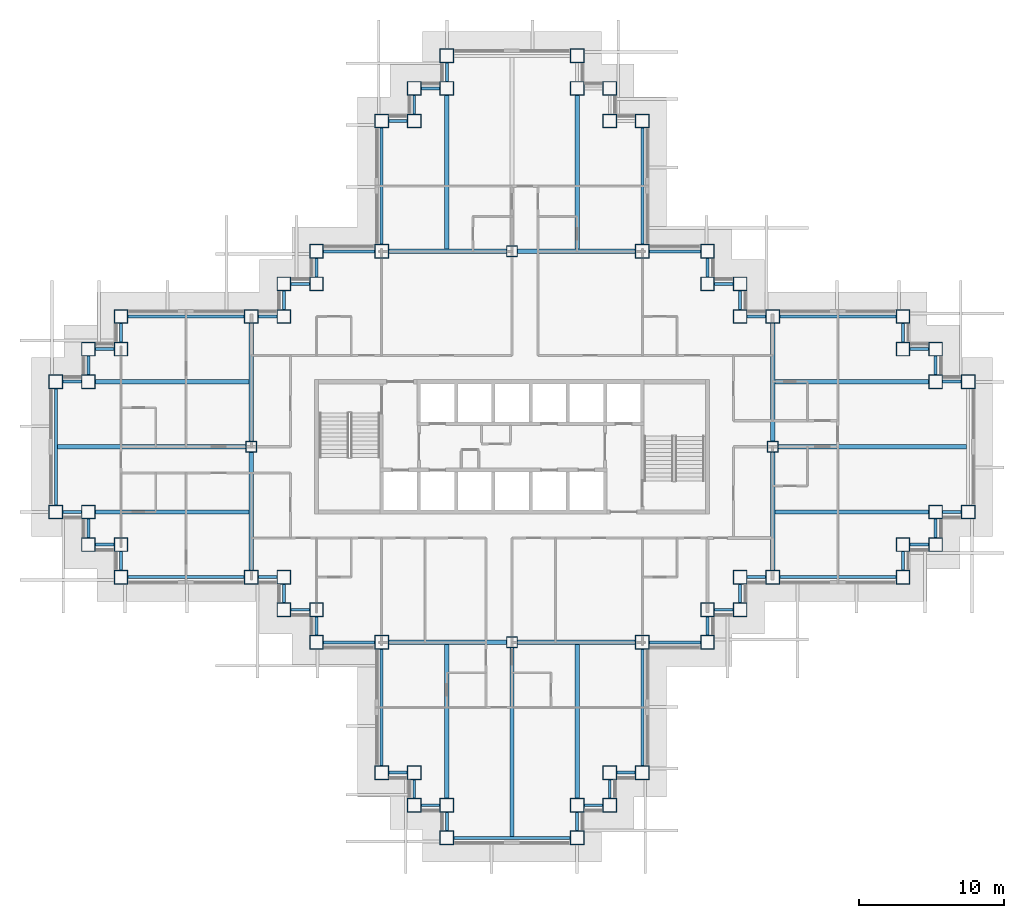
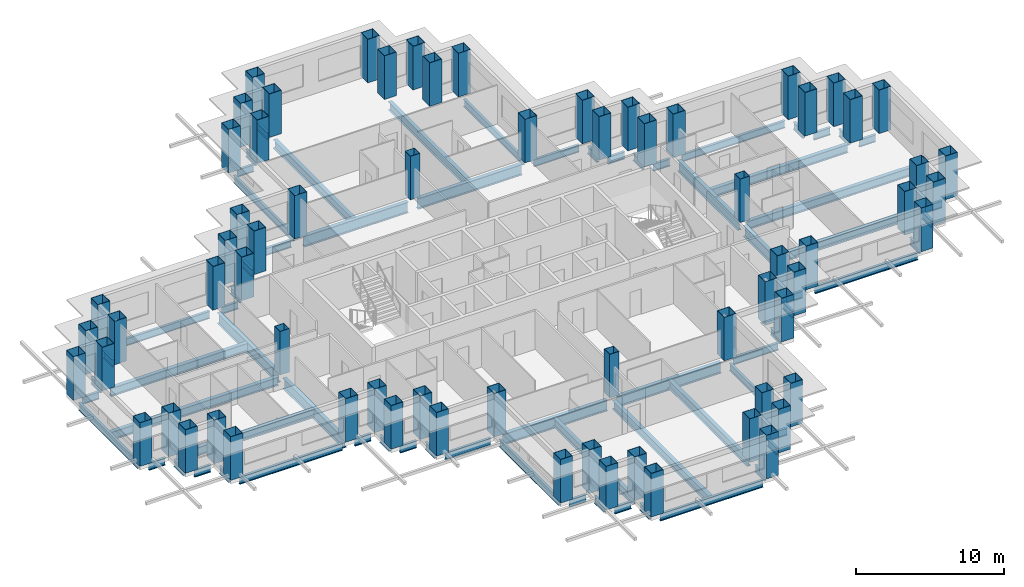
# One storey, part 1 of 15: 77 beams, 68 columns.
"""IFC4 building model written with IfcOpenShell, lengths in metres."""

from ifc_helpers import new_model, si_unit, direction, frame, origin, origin_2d, place, context, subcontext, project, spatial, hollow_rectangle, i_section, extrude, material, material_profile, profile_set, type_object, element, save


model = new_model("IFC4")

# Units and contexts
model_context = context("Model", 3, precision=1e-05, world=origin(), true_north=direction((0.0, 1.0)))
body_context = subcontext(model_context, "Body", "Model", "MODEL_VIEW")
ifc_project = project(units=[si_unit("LENGTHUNIT", "METRE"), si_unit("AREAUNIT", "SQUARE_METRE"), si_unit("VOLUMEUNIT", "CUBIC_METRE"), si_unit("PLANEANGLEUNIT", "RADIAN"), si_unit("MASSUNIT", "GRAM", prefix="KILO")], contexts=[model_context])

# Site, building, storey
site_placement = place(None, origin())
site = spatial("IfcSite", under=ifc_project, at=site_placement, CompositionType="ELEMENT")
building_placement = place(site_placement, origin())
building = spatial("IfcBuilding", under=site, at=building_placement, Name="Caravel Reach Hotel and Residences", CompositionType="ELEMENT")
storey_placement = place(building_placement, frame((0.0, 0.0, 92.39990234375)))
storey = spatial("IfcBuildingStorey", under=building, at=storey_placement, Name="L22", CompositionType="ELEMENT", Elevation=92.39990234375)

# Columns
ifc_material_1 = material(Name="Concrete-filled steel tube Q390B with Concrete C70 infill", Category="concrete")
ifc_material_profile_1 = material_profile(ifc_material_1, hollow_rectangle(XDim=0.75, YDim=0.75, WallThickness=0.02392578125, at=origin_2d()), Name="RHS 750x750x24")
ifc_profile_set_1 = profile_set([ifc_material_profile_1], Name="Concrete-filled steel tube Q390B with Concrete C70 infill")
column_type_1 = type_object("IfcColumnType", Name="CFT 750x750 Q390B C70", PredefinedType="COLUMN", material=ifc_profile_set_1)
for number, where, z_axis, x_axis, name in (
    (1, (31.5, 40.5, 0.0), (0.0, 0.0, 1.0), (1.0, 0.0, 0.0), "C16 column"),
    (2, (31.5, 13.5, 0.0), (0.0, 0.0, 1.0), (1.0, 0.0, 0.0), "C16 column"),
    (3, (13.5, 27.0, 0.0), (0.0, 0.0, 1.0), (1.0, 0.0, 0.0), "C16 column"),
    (4, (49.5, 27.0, 0.0), (0.0, 0.0, 1.0), (1.0, 0.0, 0.0), "C16 column"),
):
    element("IfcColumn", number, at=place(storey_placement, frame(where, z_axis=z_axis, x_axis=x_axis)), inside=storey, type_object=column_type_1, Name=name, PredefinedType="COLUMN", context=body_context, shape_type="SweptSolid", body=[
        extrude(hollow_rectangle(XDim=0.75, YDim=0.75, WallThickness=0.02392578125, at=origin_2d()), origin(), (0.0, 0.0, 1.0), 3.60009765625),
    ])
ifc_material_2 = material(Name="Concrete-filled steel tube Q390B with Concrete C70 infill", Category="concrete")
ifc_material_profile_2 = material_profile(ifc_material_2, hollow_rectangle(XDim=0.949951171875, YDim=0.949951171875, WallThickness=0.030029296875, at=origin_2d()), Name="RHS 950x950x30")
ifc_profile_set_2 = profile_set([ifc_material_profile_2], Name="Concrete-filled steel tube Q390B with Concrete C70 infill")
column_type_2 = type_object("IfcColumnType", Name="CFT 950x950 Q390B C70", PredefinedType="COLUMN", material=ifc_profile_set_2)
for number, where, z_axis, x_axis, name in (
    (5, (22.5, 4.5, 0.0), (0.0, 0.0, 1.0), (1.0, 0.0, 0.0), "C12 column"),
    (6, (24.75, 4.5, 0.0), (0.0, 0.0, 1.0), (1.0, 0.0, 0.0), "C12 column"),
    (7, (24.75, 2.25, 0.0), (0.0, 0.0, 1.0), (1.0, 0.0, 0.0), "C12 column"),
    (8, (27.0, 2.25, 0.0), (0.0, 0.0, 1.0), (1.0, 0.0, 0.0), "C12 column"),
    (9, (27.0, 0.0, 0.0), (0.0, 0.0, 1.0), (1.0, 0.0, 0.0), "C12 column"),
    (10, (36.0, 0.0, 0.0), (0.0, 0.0, 1.0), (1.0, 0.0, 0.0), "C12 column"),
    (11, (36.0, 2.25, 0.0), (0.0, 0.0, 1.0), (1.0, 0.0, 0.0), "C12 column"),
    (12, (38.25, 2.25, 0.0), (0.0, 0.0, 1.0), (1.0, 0.0, 0.0), "C12 column"),
    (13, (38.25, 4.5, 0.0), (0.0, 0.0, 1.0), (1.0, 0.0, 0.0), "C12 column"),
    (14, (40.5, 4.5, 0.0), (0.0, 0.0, 1.0), (1.0, 0.0, 0.0), "C12 column"),
    (15, (40.5, 13.5, 0.0), (0.0, 0.0, 1.0), (1.0, 0.0, 0.0), "C12 column"),
    (16, (45.0, 13.5, 0.0), (0.0, 0.0, 1.0), (1.0, 0.0, 0.0), "C12 column"),
    (17, (45.0, 15.75, 0.0), (0.0, 0.0, 1.0), (1.0, 0.0, 0.0), "C12 column"),
    (18, (47.25, 15.75, 0.0), (0.0, 0.0, 1.0), (1.0, 0.0, 0.0), "C12 column"),
    (19, (47.25, 18.0, 0.0), (0.0, 0.0, 1.0), (1.0, 0.0, 0.0), "C12 column"),
    (20, (49.5, 18.0, 0.0), (0.0, 0.0, 1.0), (1.0, 0.0, 0.0), "C12 column"),
    (21, (58.5, 18.0, 0.0), (0.0, 0.0, 1.0), (1.0, 0.0, 0.0), "C12 column"),
    (22, (58.5, 20.25, 0.0), (0.0, 0.0, 1.0), (1.0, 0.0, 0.0), "C12 column"),
    (23, (60.75, 20.25, 0.0), (0.0, 0.0, 1.0), (1.0, 0.0, 0.0), "C12 column"),
    (24, (60.75, 22.5, 0.0), (0.0, 0.0, 1.0), (1.0, 0.0, 0.0), "C12 column"),
    (25, (63.0, 22.5, 0.0), (0.0, 0.0, 1.0), (1.0, 0.0, 0.0), "C12 column"),
    (26, (63.0, 31.5, 0.0), (0.0, 0.0, 1.0), (1.0, 0.0, 0.0), "C12 column"),
    (27, (60.75, 31.5, 0.0), (0.0, 0.0, 1.0), (1.0, 0.0, 0.0), "C12 column"),
    (28, (60.75, 33.75, 0.0), (0.0, 0.0, 1.0), (1.0, 0.0, 0.0), "C12 column"),
    (29, (58.5, 33.75, 0.0), (0.0, 0.0, 1.0), (1.0, 0.0, 0.0), "C12 column"),
    (30, (58.5, 36.0, 0.0), (0.0, 0.0, 1.0), (1.0, 0.0, 0.0), "C12 column"),
    (31, (49.5, 36.0, 0.0), (0.0, 0.0, 1.0), (1.0, 0.0, 0.0), "C12 column"),
    (32, (47.25, 36.0, 0.0), (0.0, 0.0, 1.0), (1.0, 0.0, 0.0), "C12 column"),
    (33, (47.25, 38.25, 0.0), (0.0, 0.0, 1.0), (1.0, 0.0, 0.0), "C12 column"),
    (34, (45.0, 38.25, 0.0), (0.0, 0.0, 1.0), (1.0, 0.0, 0.0), "C12 column"),
    (35, (45.0, 40.5, 0.0), (0.0, 0.0, 1.0), (1.0, 0.0, 0.0), "C12 column"),
    (36, (40.5, 40.5, 0.0), (0.0, 0.0, 1.0), (1.0, 0.0, 0.0), "C12 column"),
    (37, (40.5, 49.5, 0.0), (0.0, 0.0, 1.0), (1.0, 0.0, 0.0), "C12 column"),
    (38, (38.25, 49.5, 0.0), (0.0, 0.0, 1.0), (1.0, 0.0, 0.0), "C12 column"),
    (39, (38.25, 51.75, 0.0), (0.0, 0.0, 1.0), (1.0, 0.0, 0.0), "C12 column"),
    (40, (36.0, 51.75, 0.0), (0.0, 0.0, 1.0), (1.0, 0.0, 0.0), "C12 column"),
    (41, (36.0, 54.0, 0.0), (0.0, 0.0, 1.0), (1.0, 0.0, 0.0), "C12 column"),
    (42, (27.0, 54.0, 0.0), (0.0, 0.0, 1.0), (1.0, 0.0, 0.0), "C12 column"),
    (43, (27.0, 51.75, 0.0), (0.0, 0.0, 1.0), (1.0, 0.0, 0.0), "C12 column"),
    (44, (24.75, 51.75, 0.0), (0.0, 0.0, 1.0), (1.0, 0.0, 0.0), "C12 column"),
    (45, (24.75, 49.5, 0.0), (0.0, 0.0, 1.0), (1.0, 0.0, 0.0), "C12 column"),
    (46, (22.5, 49.5, 0.0), (0.0, 0.0, 1.0), (1.0, 0.0, 0.0), "C12 column"),
    (47, (22.5, 40.5, 0.0), (0.0, 0.0, 1.0), (1.0, 0.0, 0.0), "C12 column"),
    (48, (18.0, 40.5, 0.0), (0.0, 0.0, 1.0), (1.0, 0.0, 0.0), "C12 column"),
    (49, (18.0, 38.25, 0.0), (0.0, 0.0, 1.0), (1.0, 0.0, 0.0), "C12 column"),
    (50, (15.75, 38.25, 0.0), (0.0, 0.0, 1.0), (1.0, 0.0, 0.0), "C12 column"),
    (51, (15.75, 36.0, 0.0), (0.0, 0.0, 1.0), (1.0, 0.0, 0.0), "C12 column"),
    (52, (13.5, 36.0, 0.0), (0.0, 0.0, 1.0), (1.0, 0.0, 0.0), "C12 column"),
    (53, (4.5, 36.0, 0.0), (0.0, 0.0, 1.0), (1.0, 0.0, 0.0), "C12 column"),
    (54, (4.5, 33.75, 0.0), (0.0, 0.0, 1.0), (1.0, 0.0, 0.0), "C12 column"),
    (55, (2.25, 33.75, 0.0), (0.0, 0.0, 1.0), (1.0, 0.0, 0.0), "C12 column"),
    (56, (2.25, 31.5, 0.0), (0.0, 0.0, 1.0), (1.0, 0.0, 0.0), "C12 column"),
    (57, (0.0, 31.5, 0.0), (0.0, 0.0, 1.0), (1.0, 0.0, 0.0), "C12 column"),
    (58, (0.0, 22.5, 0.0), (0.0, 0.0, 1.0), (1.0, 0.0, 0.0), "C12 column"),
    (59, (2.25, 22.5, 0.0), (0.0, 0.0, 1.0), (1.0, 0.0, 0.0), "C12 column"),
    (60, (2.25, 20.25, 0.0), (0.0, 0.0, 1.0), (1.0, 0.0, 0.0), "C12 column"),
    (61, (4.5, 20.25, 0.0), (0.0, 0.0, 1.0), (1.0, 0.0, 0.0), "C12 column"),
    (62, (4.5, 18.0, 0.0), (0.0, 0.0, 1.0), (1.0, 0.0, 0.0), "C12 column"),
    (63, (13.5, 18.0, 0.0), (0.0, 0.0, 1.0), (1.0, 0.0, 0.0), "C12 column"),
    (64, (15.75, 18.0, 0.0), (0.0, 0.0, 1.0), (1.0, 0.0, 0.0), "C12 column"),
    (65, (15.75, 15.75, 0.0), (0.0, 0.0, 1.0), (1.0, 0.0, 0.0), "C12 column"),
    (66, (18.0, 15.75, 0.0), (0.0, 0.0, 1.0), (1.0, 0.0, 0.0), "C12 column"),
    (67, (18.0, 13.5, 0.0), (0.0, 0.0, 1.0), (1.0, 0.0, 0.0), "C12 column"),
    (68, (22.5, 13.5, 0.0), (0.0, 0.0, 1.0), (1.0, 0.0, 0.0), "C12 column"),
):
    element("IfcColumn", number, at=place(storey_placement, frame(where, z_axis=z_axis, x_axis=x_axis)), inside=storey, type_object=column_type_2, Name=name, PredefinedType="COLUMN", context=body_context, shape_type="SweptSolid", body=[
        extrude(hollow_rectangle(XDim=0.949951171875, YDim=0.949951171875, WallThickness=0.030029296875, at=origin_2d()), origin(), (0.0, 0.0, 1.0), 3.60009765625),
    ])

# Beams
ifc_material_3 = material(Name="Structural steel Q355B", Category="steel")
ifc_material_profile_3 = material_profile(ifc_material_3, i_section(OverallWidth=0.300048828125, OverallDepth=0.699951171875, WebThickness=0.012939453125, FlangeThickness=0.02392578125, FilletRadius=0.01806640625, at=origin_2d()), Name="HN 700x300x13x24")
ifc_profile_set_3 = profile_set([ifc_material_profile_3], Name="Structural steel Q355B")
beam_type_1 = type_object("IfcBeamType", Name="Beam HN 700x300x13x24", PredefinedType="BEAM", material=ifc_profile_set_3)
for number, where, z_axis, x_axis, name in (
    (69, (27.0, 40.60009765625, -0.64990234375), (0.0, 1.0, 0.0), (-1.0, 0.0, 0.0), "B2 HN 700x300x13x24"),
    (70, (36.0, 40.60009765625, -0.64990234375), (0.0, 1.0, 0.0), (-1.0, 0.0, 0.0), "B2 HN 700x300x13x24"),
    (71, (27.0, 13.39990234375, -0.64990234375), (0.0, -1.0, 0.0), (1.0, 0.0, 0.0), "B2 HN 700x300x13x24"),
):
    element("IfcBeam", number, at=place(storey_placement, frame(where, z_axis=z_axis, x_axis=x_axis)), inside=storey, type_object=beam_type_1, Name=name, PredefinedType="BEAM", context=body_context, shape_type="SweptSolid", body=[
        extrude(i_section(OverallWidth=0.300048828125, OverallDepth=0.699951171875, WebThickness=0.012939453125, FlangeThickness=0.02392578125, FilletRadius=0.01806640625, at=origin_2d()), origin(), (0.0, 0.0, 1.0), 10.724853515625),
    ])
beam_1_placement = place(storey_placement, frame((31.5, 13.175048828125, -0.64990234375), z_axis=(0.0, -1.0, 0.0), x_axis=(1.0, 0.0, 0.0)))
element("IfcBeam", 72, at=beam_1_placement, inside=storey, type_object=beam_type_1, Name="B2 HN 700x300x13x24", PredefinedType="BEAM", context=body_context, shape_type="SweptSolid", body=[
    extrude(i_section(OverallWidth=0.300048828125, OverallDepth=0.699951171875, WebThickness=0.012939453125, FlangeThickness=0.02392578125, FilletRadius=0.01806640625, at=origin_2d()), origin(), (0.0, 0.0, 1.0), 13.074951171875),
])
for number, where, z_axis, x_axis, name in (
    (73, (36.0, 13.39990234375, -0.64990234375), (0.0, -1.0, 0.0), (1.0, 0.0, 0.0), "B2 HN 700x300x13x24"),
    (74, (49.60009765625, 22.5, -0.64990234375), (1.0, 0.0, 0.0), (0.0, 1.0, 0.0), "B2 HN 700x300x13x24"),
):
    element("IfcBeam", number, at=place(storey_placement, frame(where, z_axis=z_axis, x_axis=x_axis)), inside=storey, type_object=beam_type_1, Name=name, PredefinedType="BEAM", context=body_context, shape_type="SweptSolid", body=[
        extrude(i_section(OverallWidth=0.300048828125, OverallDepth=0.699951171875, WebThickness=0.012939453125, FlangeThickness=0.02392578125, FilletRadius=0.01806640625, at=origin_2d()), origin(), (0.0, 0.0, 1.0), 10.724853515625),
    ])
beam_2_placement = place(storey_placement, frame((49.824951171875, 27.0, -0.64990234375), z_axis=(1.0, 0.0, 0.0), x_axis=(0.0, 1.0, 0.0)))
element("IfcBeam", 75, at=beam_2_placement, inside=storey, type_object=beam_type_1, Name="B2 HN 700x300x13x24", PredefinedType="BEAM", context=body_context, shape_type="SweptSolid", body=[
    extrude(i_section(OverallWidth=0.300048828125, OverallDepth=0.699951171875, WebThickness=0.012939453125, FlangeThickness=0.02392578125, FilletRadius=0.01806640625, at=origin_2d()), origin(), (0.0, 0.0, 1.0), 13.074951171875),
])
for number, where, z_axis, x_axis, name in (
    (76, (49.60009765625, 31.5, -0.64990234375), (1.0, 0.0, 0.0), (0.0, 1.0, 0.0), "B2 HN 700x300x13x24"),
    (77, (13.39990234375, 22.5, -0.64990234375), (-1.0, 0.0, 0.0), (0.0, -1.0, 0.0), "B2 HN 700x300x13x24"),
):
    element("IfcBeam", number, at=place(storey_placement, frame(where, z_axis=z_axis, x_axis=x_axis)), inside=storey, type_object=beam_type_1, Name=name, PredefinedType="BEAM", context=body_context, shape_type="SweptSolid", body=[
        extrude(i_section(OverallWidth=0.300048828125, OverallDepth=0.699951171875, WebThickness=0.012939453125, FlangeThickness=0.02392578125, FilletRadius=0.01806640625, at=origin_2d()), origin(), (0.0, 0.0, 1.0), 10.724853515625),
    ])
beam_3_placement = place(storey_placement, frame((13.175048828125, 27.0, -0.64990234375), z_axis=(-1.0, 0.0, 0.0), x_axis=(0.0, -1.0, 0.0)))
element("IfcBeam", 78, at=beam_3_placement, inside=storey, type_object=beam_type_1, Name="B2 HN 700x300x13x24", PredefinedType="BEAM", context=body_context, shape_type="SweptSolid", body=[
    extrude(i_section(OverallWidth=0.300048828125, OverallDepth=0.699951171875, WebThickness=0.012939453125, FlangeThickness=0.02392578125, FilletRadius=0.01806640625, at=origin_2d()), origin(), (0.0, 0.0, 1.0), 13.074951171875),
])
beam_4_placement = place(storey_placement, frame((13.39990234375, 31.5, -0.64990234375), z_axis=(-1.0, 0.0, 0.0), x_axis=(0.0, -1.0, 0.0)))
element("IfcBeam", 79, at=beam_4_placement, inside=storey, type_object=beam_type_1, Name="B2 HN 700x300x13x24", PredefinedType="BEAM", context=body_context, shape_type="SweptSolid", body=[
    extrude(i_section(OverallWidth=0.300048828125, OverallDepth=0.699951171875, WebThickness=0.012939453125, FlangeThickness=0.02392578125, FilletRadius=0.01806640625, at=origin_2d()), origin(), (0.0, 0.0, 1.0), 10.724853515625),
])
ifc_material_4 = material(Name="Structural steel Q355B", Category="steel")
ifc_material_profile_4 = material_profile(ifc_material_4, i_section(OverallWidth=0.300048828125, OverallDepth=0.89990234375, WebThickness=0.01611328125, FlangeThickness=0.028076171875, FilletRadius=0.01806640625, at=origin_2d()), Name="HN 900x300x16x28")
ifc_profile_set_4 = profile_set([ifc_material_profile_4], Name="Structural steel Q355B")
beam_type_2 = type_object("IfcBeamType", Name="Beam HN 900x300x16x28", PredefinedType="BEAM", material=ifc_profile_set_4)
for number, where, z_axis, x_axis, name in (
    (80, (22.97509765625, 40.5, -0.75), (1.0, 0.0, 0.0), (0.0, 1.0, 0.0), "B3 HN 900x300x16x28"),
    (81, (31.875, 40.5, -0.75), (1.0, 0.0, 0.0), (0.0, 1.0, 0.0), "B3 HN 900x300x16x28"),
    (82, (22.97509765625, 13.5, -0.75), (1.0, 0.0, 0.0), (0.0, 1.0, 0.0), "B3 HN 900x300x16x28"),
    (83, (31.875, 13.5, -0.75), (1.0, 0.0, 0.0), (0.0, 1.0, 0.0), "B3 HN 900x300x16x28"),
    (84, (13.5, 18.47509765625, -0.75), (0.0, 1.0, 0.0), (-1.0, 0.0, 0.0), "B3 HN 900x300x16x28"),
    (85, (13.5, 27.375, -0.75), (0.0, 1.0, 0.0), (-1.0, 0.0, 0.0), "B3 HN 900x300x16x28"),
    (86, (49.5, 18.47509765625, -0.75), (0.0, 1.0, 0.0), (-1.0, 0.0, 0.0), "B3 HN 900x300x16x28"),
    (87, (49.5, 27.375, -0.75), (0.0, 1.0, 0.0), (-1.0, 0.0, 0.0), "B3 HN 900x300x16x28"),
):
    element("IfcBeam", number, at=place(storey_placement, frame(where, z_axis=z_axis, x_axis=x_axis)), inside=storey, type_object=beam_type_2, Name=name, PredefinedType="BEAM", context=body_context, shape_type="SweptSolid", body=[
        extrude(i_section(OverallWidth=0.300048828125, OverallDepth=0.89990234375, WebThickness=0.01611328125, FlangeThickness=0.028076171875, FilletRadius=0.01806640625, at=origin_2d()), origin(), (0.0, 0.0, 1.0), 8.14990234375),
    ])
ifc_material_5 = material(Name="Structural steel Q355B", Category="steel")
ifc_material_profile_5 = material_profile(ifc_material_5, i_section(OverallWidth=0.199951171875, OverallDepth=0.60009765625, WebThickness=0.010986328125, FlangeThickness=0.01708984375, FilletRadius=0.012939453125, at=origin_2d()), Name="HN 600x200x11x17")
ifc_profile_set_5 = profile_set([ifc_material_profile_5], Name="Structural steel Q355B")
beam_type_3 = type_object("IfcBeamType", Name="Spandrel beam HN 600x200x11x17", PredefinedType="SPANDREL", material=ifc_profile_set_5)
for number, where, z_axis, x_axis, name in (
    (88, (22.97509765625, 4.5, -0.599853515625), (1.0, 0.0, 0.0), (0.0, 1.0, 0.0), "SP1 HN 600x200x11x17"),
    (89, (24.75, 4.02490234375, -0.599853515625), (0.0, -1.0, 0.0), (1.0, 0.0, 0.0), "SP1 HN 600x200x11x17"),
    (90, (25.22509765625, 2.25, -0.599853515625), (1.0, 0.0, 0.0), (0.0, 1.0, 0.0), "SP1 HN 600x200x11x17"),
    (91, (27.0, 1.77490234375, -0.599853515625), (0.0, -1.0, 0.0), (1.0, 0.0, 0.0), "SP1 HN 600x200x11x17"),
):
    element("IfcBeam", number, at=place(storey_placement, frame(where, z_axis=z_axis, x_axis=x_axis)), inside=storey, type_object=beam_type_3, Name=name, PredefinedType="SPANDREL", context=body_context, shape_type="SweptSolid", body=[
        extrude(i_section(OverallWidth=0.199951171875, OverallDepth=0.60009765625, WebThickness=0.010986328125, FlangeThickness=0.01708984375, FilletRadius=0.012939453125, at=origin_2d()), origin(), (0.0, 0.0, 1.0), 1.2998046875),
    ])
beam_5_placement = place(storey_placement, frame((27.47509765625, 0.0, -0.599853515625), z_axis=(1.0, 0.0, 0.0), x_axis=(0.0, 1.0, 0.0)))
element("IfcBeam", 92, at=beam_5_placement, inside=storey, type_object=beam_type_3, Name="SP1 HN 600x200x11x17", PredefinedType="SPANDREL", context=body_context, shape_type="SweptSolid", body=[
    extrude(i_section(OverallWidth=0.199951171875, OverallDepth=0.60009765625, WebThickness=0.010986328125, FlangeThickness=0.01708984375, FilletRadius=0.012939453125, at=origin_2d()), origin(), (0.0, 0.0, 1.0), 8.0498046875),
])
for number, where, z_axis, x_axis, name in (
    (93, (36.0, 0.47509765625, -0.599853515625), (0.0, 1.0, 0.0), (-1.0, 0.0, 0.0), "SP1 HN 600x200x11x17"),
    (94, (36.47509765625, 2.25, -0.599853515625), (1.0, 0.0, 0.0), (0.0, 1.0, 0.0), "SP1 HN 600x200x11x17"),
    (95, (38.25, 2.72509765625, -0.599853515625), (0.0, 1.0, 0.0), (-1.0, 0.0, 0.0), "SP1 HN 600x200x11x17"),
    (96, (38.72509765625, 4.5, -0.599853515625), (1.0, 0.0, 0.0), (0.0, 1.0, 0.0), "SP1 HN 600x200x11x17"),
):
    element("IfcBeam", number, at=place(storey_placement, frame(where, z_axis=z_axis, x_axis=x_axis)), inside=storey, type_object=beam_type_3, Name=name, PredefinedType="SPANDREL", context=body_context, shape_type="SweptSolid", body=[
        extrude(i_section(OverallWidth=0.199951171875, OverallDepth=0.60009765625, WebThickness=0.010986328125, FlangeThickness=0.01708984375, FilletRadius=0.012939453125, at=origin_2d()), origin(), (0.0, 0.0, 1.0), 1.2998046875),
    ])
beam_6_placement = place(storey_placement, frame((40.5, 4.97509765625, -0.599853515625), z_axis=(0.0, 1.0, 0.0), x_axis=(-1.0, 0.0, 0.0)))
element("IfcBeam", 97, at=beam_6_placement, inside=storey, type_object=beam_type_3, Name="SP1 HN 600x200x11x17", PredefinedType="SPANDREL", context=body_context, shape_type="SweptSolid", body=[
    extrude(i_section(OverallWidth=0.199951171875, OverallDepth=0.60009765625, WebThickness=0.010986328125, FlangeThickness=0.01708984375, FilletRadius=0.012939453125, at=origin_2d()), origin(), (0.0, 0.0, 1.0), 8.0498046875),
])
beam_7_placement = place(storey_placement, frame((40.97509765625, 13.5, -0.599853515625), z_axis=(1.0, 0.0, 0.0), x_axis=(0.0, 1.0, 0.0)))
element("IfcBeam", 98, at=beam_7_placement, inside=storey, type_object=beam_type_3, Name="SP1 HN 600x200x11x17", PredefinedType="SPANDREL", context=body_context, shape_type="SweptSolid", body=[
    extrude(i_section(OverallWidth=0.199951171875, OverallDepth=0.60009765625, WebThickness=0.010986328125, FlangeThickness=0.01708984375, FilletRadius=0.012939453125, at=origin_2d()), origin(), (0.0, 0.0, 1.0), 3.5498046875),
])
for number, where, z_axis, x_axis, name in (
    (99, (45.0, 13.97509765625, -0.599853515625), (0.0, 1.0, 0.0), (-1.0, 0.0, 0.0), "SP1 HN 600x200x11x17"),
    (100, (45.47509765625, 15.75, -0.599853515625), (1.0, 0.0, 0.0), (0.0, 1.0, 0.0), "SP1 HN 600x200x11x17"),
    (101, (47.25, 16.22509765625, -0.599853515625), (0.0, 1.0, 0.0), (-1.0, 0.0, 0.0), "SP1 HN 600x200x11x17"),
    (102, (47.72509765625, 18.0, -0.599853515625), (1.0, 0.0, 0.0), (0.0, 1.0, 0.0), "SP1 HN 600x200x11x17"),
):
    element("IfcBeam", number, at=place(storey_placement, frame(where, z_axis=z_axis, x_axis=x_axis)), inside=storey, type_object=beam_type_3, Name=name, PredefinedType="SPANDREL", context=body_context, shape_type="SweptSolid", body=[
        extrude(i_section(OverallWidth=0.199951171875, OverallDepth=0.60009765625, WebThickness=0.010986328125, FlangeThickness=0.01708984375, FilletRadius=0.012939453125, at=origin_2d()), origin(), (0.0, 0.0, 1.0), 1.2998046875),
    ])
beam_8_placement = place(storey_placement, frame((49.97509765625, 18.0, -0.599853515625), z_axis=(1.0, 0.0, 0.0), x_axis=(0.0, 1.0, 0.0)))
element("IfcBeam", 103, at=beam_8_placement, inside=storey, type_object=beam_type_3, Name="SP1 HN 600x200x11x17", PredefinedType="SPANDREL", context=body_context, shape_type="SweptSolid", body=[
    extrude(i_section(OverallWidth=0.199951171875, OverallDepth=0.60009765625, WebThickness=0.010986328125, FlangeThickness=0.01708984375, FilletRadius=0.012939453125, at=origin_2d()), origin(), (0.0, 0.0, 1.0), 8.0498046875),
])
for number, where, z_axis, x_axis, name in (
    (104, (58.5, 18.47509765625, -0.599853515625), (0.0, 1.0, 0.0), (-1.0, 0.0, 0.0), "SP1 HN 600x200x11x17"),
    (105, (58.97509765625, 20.25, -0.599853515625), (1.0, 0.0, 0.0), (0.0, 1.0, 0.0), "SP1 HN 600x200x11x17"),
    (106, (60.75, 20.72509765625, -0.599853515625), (0.0, 1.0, 0.0), (-1.0, 0.0, 0.0), "SP1 HN 600x200x11x17"),
    (107, (61.22509765625, 22.5, -0.599853515625), (1.0, 0.0, 0.0), (0.0, 1.0, 0.0), "SP1 HN 600x200x11x17"),
    (108, (62.52490234375, 31.5, -0.599853515625), (-1.0, 0.0, 0.0), (0.0, -1.0, 0.0), "SP1 HN 600x200x11x17"),
    (109, (60.75, 31.97509765625, -0.599853515625), (0.0, 1.0, 0.0), (-1.0, 0.0, 0.0), "SP1 HN 600x200x11x17"),
    (110, (60.27490234375, 33.75, -0.599853515625), (-1.0, 0.0, 0.0), (0.0, -1.0, 0.0), "SP1 HN 600x200x11x17"),
    (111, (58.5, 34.22509765625, -0.599853515625), (0.0, 1.0, 0.0), (-1.0, 0.0, 0.0), "SP1 HN 600x200x11x17"),
):
    element("IfcBeam", number, at=place(storey_placement, frame(where, z_axis=z_axis, x_axis=x_axis)), inside=storey, type_object=beam_type_3, Name=name, PredefinedType="SPANDREL", context=body_context, shape_type="SweptSolid", body=[
        extrude(i_section(OverallWidth=0.199951171875, OverallDepth=0.60009765625, WebThickness=0.010986328125, FlangeThickness=0.01708984375, FilletRadius=0.012939453125, at=origin_2d()), origin(), (0.0, 0.0, 1.0), 1.2998046875),
    ])
beam_9_placement = place(storey_placement, frame((58.02490234375, 36.0, -0.599853515625), z_axis=(-1.0, 0.0, 0.0), x_axis=(0.0, -1.0, 0.0)))
element("IfcBeam", 112, at=beam_9_placement, inside=storey, type_object=beam_type_3, Name="SP1 HN 600x200x11x17", PredefinedType="SPANDREL", context=body_context, shape_type="SweptSolid", body=[
    extrude(i_section(OverallWidth=0.199951171875, OverallDepth=0.60009765625, WebThickness=0.010986328125, FlangeThickness=0.01708984375, FilletRadius=0.012939453125, at=origin_2d()), origin(), (0.0, 0.0, 1.0), 8.0498046875),
])
for number, where, z_axis, x_axis, name in (
    (113, (49.02490234375, 36.0, -0.599853515625), (-1.0, 0.0, 0.0), (0.0, -1.0, 0.0), "SP1 HN 600x200x11x17"),
    (114, (47.25, 36.47509765625, -0.599853515625), (0.0, 1.0, 0.0), (-1.0, 0.0, 0.0), "SP1 HN 600x200x11x17"),
    (115, (46.77490234375, 38.25, -0.599853515625), (-1.0, 0.0, 0.0), (0.0, -1.0, 0.0), "SP1 HN 600x200x11x17"),
    (116, (45.0, 38.72509765625, -0.599853515625), (0.0, 1.0, 0.0), (-1.0, 0.0, 0.0), "SP1 HN 600x200x11x17"),
):
    element("IfcBeam", number, at=place(storey_placement, frame(where, z_axis=z_axis, x_axis=x_axis)), inside=storey, type_object=beam_type_3, Name=name, PredefinedType="SPANDREL", context=body_context, shape_type="SweptSolid", body=[
        extrude(i_section(OverallWidth=0.199951171875, OverallDepth=0.60009765625, WebThickness=0.010986328125, FlangeThickness=0.01708984375, FilletRadius=0.012939453125, at=origin_2d()), origin(), (0.0, 0.0, 1.0), 1.2998046875),
    ])
beam_10_placement = place(storey_placement, frame((44.52490234375, 40.5, -0.599853515625), z_axis=(-1.0, 0.0, 0.0), x_axis=(0.0, -1.0, 0.0)))
element("IfcBeam", 117, at=beam_10_placement, inside=storey, type_object=beam_type_3, Name="SP1 HN 600x200x11x17", PredefinedType="SPANDREL", context=body_context, shape_type="SweptSolid", body=[
    extrude(i_section(OverallWidth=0.199951171875, OverallDepth=0.60009765625, WebThickness=0.010986328125, FlangeThickness=0.01708984375, FilletRadius=0.012939453125, at=origin_2d()), origin(), (0.0, 0.0, 1.0), 3.5498046875),
])
beam_11_placement = place(storey_placement, frame((40.5, 40.97509765625, -0.599853515625), z_axis=(0.0, 1.0, 0.0), x_axis=(-1.0, 0.0, 0.0)))
element("IfcBeam", 118, at=beam_11_placement, inside=storey, type_object=beam_type_3, Name="SP1 HN 600x200x11x17", PredefinedType="SPANDREL", context=body_context, shape_type="SweptSolid", body=[
    extrude(i_section(OverallWidth=0.199951171875, OverallDepth=0.60009765625, WebThickness=0.010986328125, FlangeThickness=0.01708984375, FilletRadius=0.012939453125, at=origin_2d()), origin(), (0.0, 0.0, 1.0), 8.0498046875),
])
for number, where, z_axis, x_axis, name in (
    (119, (27.0, 53.52490234375, -0.599853515625), (0.0, -1.0, 0.0), (1.0, 0.0, 0.0), "SP1 HN 600x200x11x17"),
    (120, (26.52490234375, 51.75, -0.599853515625), (-1.0, 0.0, 0.0), (0.0, -1.0, 0.0), "SP1 HN 600x200x11x17"),
    (121, (24.75, 51.27490234375, -0.599853515625), (0.0, -1.0, 0.0), (1.0, 0.0, 0.0), "SP1 HN 600x200x11x17"),
    (122, (24.27490234375, 49.5, -0.599853515625), (-1.0, 0.0, 0.0), (0.0, -1.0, 0.0), "SP1 HN 600x200x11x17"),
):
    element("IfcBeam", number, at=place(storey_placement, frame(where, z_axis=z_axis, x_axis=x_axis)), inside=storey, type_object=beam_type_3, Name=name, PredefinedType="SPANDREL", context=body_context, shape_type="SweptSolid", body=[
        extrude(i_section(OverallWidth=0.199951171875, OverallDepth=0.60009765625, WebThickness=0.010986328125, FlangeThickness=0.01708984375, FilletRadius=0.012939453125, at=origin_2d()), origin(), (0.0, 0.0, 1.0), 1.2998046875),
    ])
beam_12_placement = place(storey_placement, frame((22.5, 49.02490234375, -0.599853515625), z_axis=(0.0, -1.0, 0.0), x_axis=(1.0, 0.0, 0.0)))
element("IfcBeam", 123, at=beam_12_placement, inside=storey, type_object=beam_type_3, Name="SP1 HN 600x200x11x17", PredefinedType="SPANDREL", context=body_context, shape_type="SweptSolid", body=[
    extrude(i_section(OverallWidth=0.199951171875, OverallDepth=0.60009765625, WebThickness=0.010986328125, FlangeThickness=0.01708984375, FilletRadius=0.012939453125, at=origin_2d()), origin(), (0.0, 0.0, 1.0), 8.0498046875),
])
beam_13_placement = place(storey_placement, frame((22.02490234375, 40.5, -0.599853515625), z_axis=(-1.0, 0.0, 0.0), x_axis=(0.0, -1.0, 0.0)))
element("IfcBeam", 124, at=beam_13_placement, inside=storey, type_object=beam_type_3, Name="SP1 HN 600x200x11x17", PredefinedType="SPANDREL", context=body_context, shape_type="SweptSolid", body=[
    extrude(i_section(OverallWidth=0.199951171875, OverallDepth=0.60009765625, WebThickness=0.010986328125, FlangeThickness=0.01708984375, FilletRadius=0.012939453125, at=origin_2d()), origin(), (0.0, 0.0, 1.0), 3.5498046875),
])
for number, where, z_axis, x_axis, name in (
    (125, (18.0, 40.02490234375, -0.599853515625), (0.0, -1.0, 0.0), (1.0, 0.0, 0.0), "SP1 HN 600x200x11x17"),
    (126, (17.52490234375, 38.25, -0.599853515625), (-1.0, 0.0, 0.0), (0.0, -1.0, 0.0), "SP1 HN 600x200x11x17"),
    (127, (15.75, 37.77490234375, -0.599853515625), (0.0, -1.0, 0.0), (1.0, 0.0, 0.0), "SP1 HN 600x200x11x17"),
    (128, (15.27490234375, 36.0, -0.599853515625), (-1.0, 0.0, 0.0), (0.0, -1.0, 0.0), "SP1 HN 600x200x11x17"),
):
    element("IfcBeam", number, at=place(storey_placement, frame(where, z_axis=z_axis, x_axis=x_axis)), inside=storey, type_object=beam_type_3, Name=name, PredefinedType="SPANDREL", context=body_context, shape_type="SweptSolid", body=[
        extrude(i_section(OverallWidth=0.199951171875, OverallDepth=0.60009765625, WebThickness=0.010986328125, FlangeThickness=0.01708984375, FilletRadius=0.012939453125, at=origin_2d()), origin(), (0.0, 0.0, 1.0), 1.2998046875),
    ])
beam_14_placement = place(storey_placement, frame((13.02490234375, 36.0, -0.599853515625), z_axis=(-1.0, 0.0, 0.0), x_axis=(0.0, -1.0, 0.0)))
element("IfcBeam", 129, at=beam_14_placement, inside=storey, type_object=beam_type_3, Name="SP1 HN 600x200x11x17", PredefinedType="SPANDREL", context=body_context, shape_type="SweptSolid", body=[
    extrude(i_section(OverallWidth=0.199951171875, OverallDepth=0.60009765625, WebThickness=0.010986328125, FlangeThickness=0.01708984375, FilletRadius=0.012939453125, at=origin_2d()), origin(), (0.0, 0.0, 1.0), 8.0498046875),
])
for number, where, z_axis, x_axis, name in (
    (130, (4.5, 35.52490234375, -0.599853515625), (0.0, -1.0, 0.0), (1.0, 0.0, 0.0), "SP1 HN 600x200x11x17"),
    (131, (4.02490234375, 33.75, -0.599853515625), (-1.0, 0.0, 0.0), (0.0, -1.0, 0.0), "SP1 HN 600x200x11x17"),
    (132, (2.25, 33.27490234375, -0.599853515625), (0.0, -1.0, 0.0), (1.0, 0.0, 0.0), "SP1 HN 600x200x11x17"),
    (133, (1.77490234375, 31.5, -0.599853515625), (-1.0, 0.0, 0.0), (0.0, -1.0, 0.0), "SP1 HN 600x200x11x17"),
):
    element("IfcBeam", number, at=place(storey_placement, frame(where, z_axis=z_axis, x_axis=x_axis)), inside=storey, type_object=beam_type_3, Name=name, PredefinedType="SPANDREL", context=body_context, shape_type="SweptSolid", body=[
        extrude(i_section(OverallWidth=0.199951171875, OverallDepth=0.60009765625, WebThickness=0.010986328125, FlangeThickness=0.01708984375, FilletRadius=0.012939453125, at=origin_2d()), origin(), (0.0, 0.0, 1.0), 1.2998046875),
    ])
beam_15_placement = place(storey_placement, frame((0.0, 31.02490234375, -0.599853515625), z_axis=(0.0, -1.0, 0.0), x_axis=(1.0, 0.0, 0.0)))
element("IfcBeam", 134, at=beam_15_placement, inside=storey, type_object=beam_type_3, Name="SP1 HN 600x200x11x17", PredefinedType="SPANDREL", context=body_context, shape_type="SweptSolid", body=[
    extrude(i_section(OverallWidth=0.199951171875, OverallDepth=0.60009765625, WebThickness=0.010986328125, FlangeThickness=0.01708984375, FilletRadius=0.012939453125, at=origin_2d()), origin(), (0.0, 0.0, 1.0), 8.0498046875),
])
for number, where, z_axis, x_axis, name in (
    (135, (0.47509765625, 22.5, -0.599853515625), (1.0, 0.0, 0.0), (0.0, 1.0, 0.0), "SP1 HN 600x200x11x17"),
    (136, (2.25, 22.02490234375, -0.599853515625), (0.0, -1.0, 0.0), (1.0, 0.0, 0.0), "SP1 HN 600x200x11x17"),
    (137, (2.72509765625, 20.25, -0.599853515625), (1.0, 0.0, 0.0), (0.0, 1.0, 0.0), "SP1 HN 600x200x11x17"),
    (138, (4.5, 19.77490234375, -0.599853515625), (0.0, -1.0, 0.0), (1.0, 0.0, 0.0), "SP1 HN 600x200x11x17"),
):
    element("IfcBeam", number, at=place(storey_placement, frame(where, z_axis=z_axis, x_axis=x_axis)), inside=storey, type_object=beam_type_3, Name=name, PredefinedType="SPANDREL", context=body_context, shape_type="SweptSolid", body=[
        extrude(i_section(OverallWidth=0.199951171875, OverallDepth=0.60009765625, WebThickness=0.010986328125, FlangeThickness=0.01708984375, FilletRadius=0.012939453125, at=origin_2d()), origin(), (0.0, 0.0, 1.0), 1.2998046875),
    ])
beam_16_placement = place(storey_placement, frame((4.97509765625, 18.0, -0.599853515625), z_axis=(1.0, 0.0, 0.0), x_axis=(0.0, 1.0, 0.0)))
element("IfcBeam", 139, at=beam_16_placement, inside=storey, type_object=beam_type_3, Name="SP1 HN 600x200x11x17", PredefinedType="SPANDREL", context=body_context, shape_type="SweptSolid", body=[
    extrude(i_section(OverallWidth=0.199951171875, OverallDepth=0.60009765625, WebThickness=0.010986328125, FlangeThickness=0.01708984375, FilletRadius=0.012939453125, at=origin_2d()), origin(), (0.0, 0.0, 1.0), 8.0498046875),
])
for number, where, z_axis, x_axis, name in (
    (140, (13.97509765625, 18.0, -0.599853515625), (1.0, 0.0, 0.0), (0.0, 1.0, 0.0), "SP1 HN 600x200x11x17"),
    (141, (15.75, 17.52490234375, -0.599853515625), (0.0, -1.0, 0.0), (1.0, 0.0, 0.0), "SP1 HN 600x200x11x17"),
    (142, (16.22509765625, 15.75, -0.599853515625), (1.0, 0.0, 0.0), (0.0, 1.0, 0.0), "SP1 HN 600x200x11x17"),
    (143, (18.0, 15.27490234375, -0.599853515625), (0.0, -1.0, 0.0), (1.0, 0.0, 0.0), "SP1 HN 600x200x11x17"),
):
    element("IfcBeam", number, at=place(storey_placement, frame(where, z_axis=z_axis, x_axis=x_axis)), inside=storey, type_object=beam_type_3, Name=name, PredefinedType="SPANDREL", context=body_context, shape_type="SweptSolid", body=[
        extrude(i_section(OverallWidth=0.199951171875, OverallDepth=0.60009765625, WebThickness=0.010986328125, FlangeThickness=0.01708984375, FilletRadius=0.012939453125, at=origin_2d()), origin(), (0.0, 0.0, 1.0), 1.2998046875),
    ])
beam_17_placement = place(storey_placement, frame((18.47509765625, 13.5, -0.599853515625), z_axis=(1.0, 0.0, 0.0), x_axis=(0.0, 1.0, 0.0)))
element("IfcBeam", 144, at=beam_17_placement, inside=storey, type_object=beam_type_3, Name="SP1 HN 600x200x11x17", PredefinedType="SPANDREL", context=body_context, shape_type="SweptSolid", body=[
    extrude(i_section(OverallWidth=0.199951171875, OverallDepth=0.60009765625, WebThickness=0.010986328125, FlangeThickness=0.01708984375, FilletRadius=0.012939453125, at=origin_2d()), origin(), (0.0, 0.0, 1.0), 3.5498046875),
])
beam_18_placement = place(storey_placement, frame((22.5, 13.02490234375, -0.599853515625), z_axis=(0.0, -1.0, 0.0), x_axis=(1.0, 0.0, 0.0)))
element("IfcBeam", 145, at=beam_18_placement, inside=storey, type_object=beam_type_3, Name="SP1 HN 600x200x11x17", PredefinedType="SPANDREL", context=body_context, shape_type="SweptSolid", body=[
    extrude(i_section(OverallWidth=0.199951171875, OverallDepth=0.60009765625, WebThickness=0.010986328125, FlangeThickness=0.01708984375, FilletRadius=0.012939453125, at=origin_2d()), origin(), (0.0, 0.0, 1.0), 8.0498046875),
])

save(model, "model.ifc")
